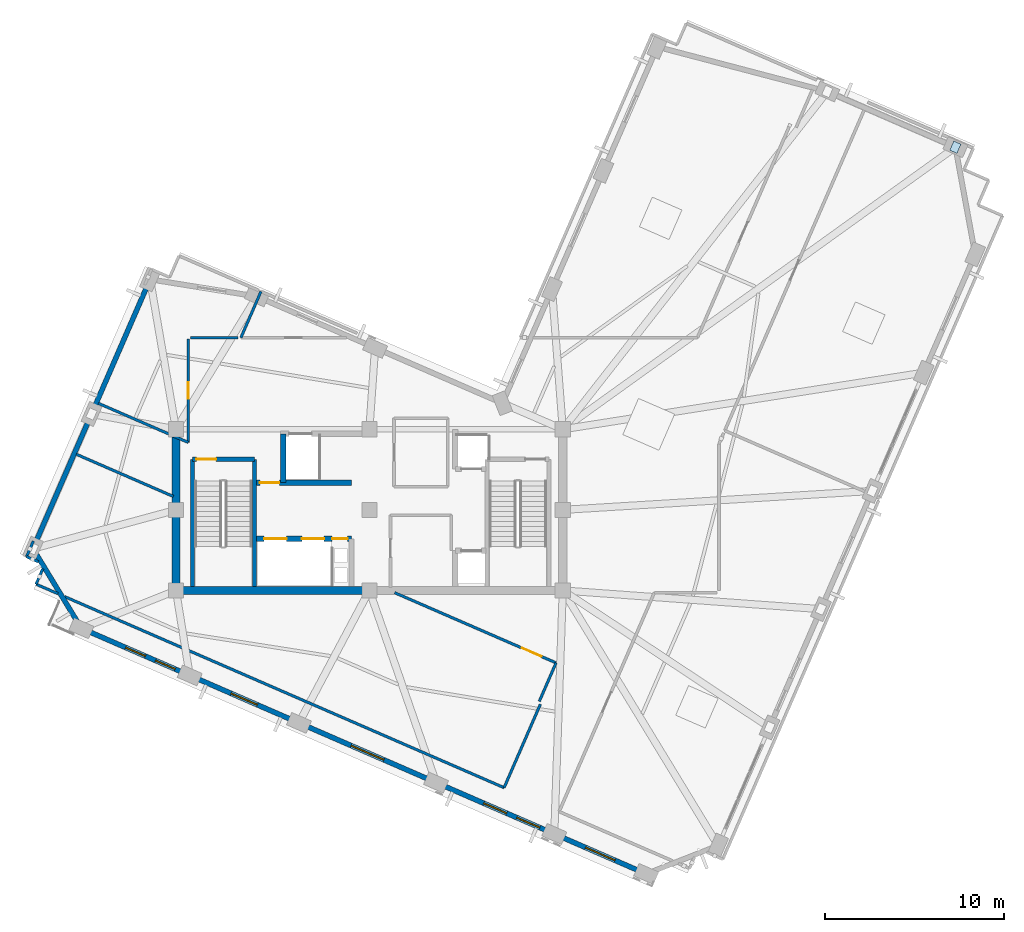
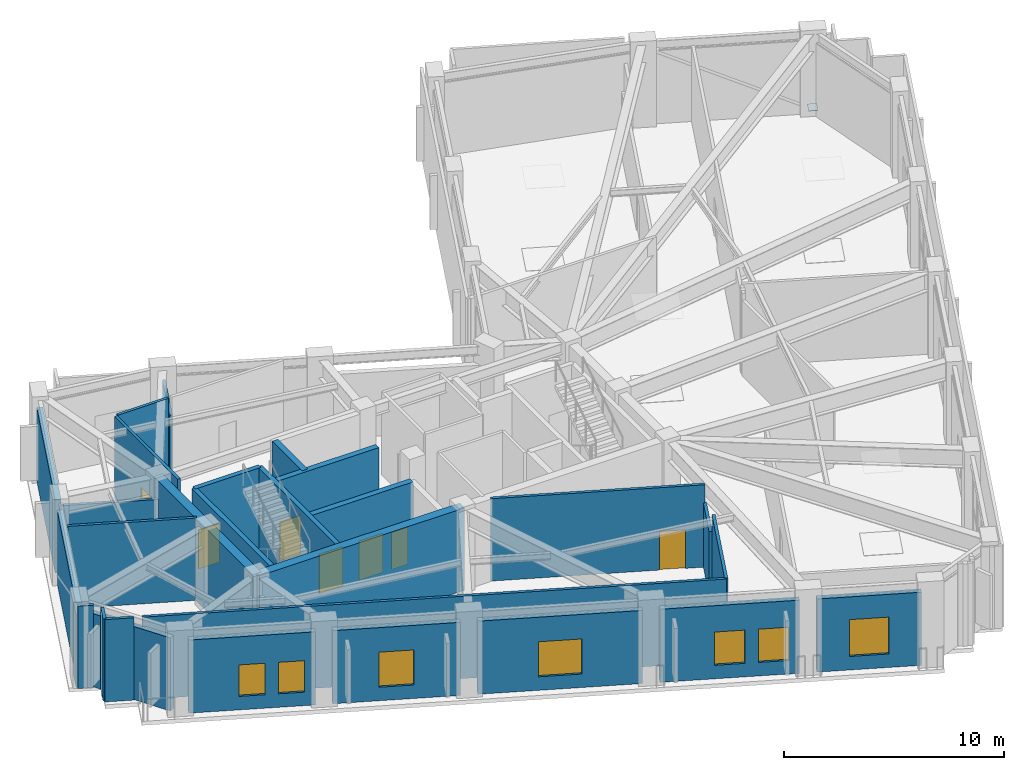
# One storey, part 5 of 11: 29 walls, 7 doors, 7 windows, 1 plate, 14 openings.
"""IFC4 building model written with IfcOpenShell, lengths in metres."""

from ifc_helpers import new_model, si_unit, direction, frame, frame_2d, origin, origin_2d, place, context, subcontext, project, spatial, rectangle, extrude, material, layer, layer_set, type_object, element, fill, save


model = new_model("IFC4")

# Units and contexts
model_context = context("Model", 3, precision=1e-05, world=origin(), true_north=direction((0.0, 1.0)))
body_context = subcontext(model_context, "Body", "Model", "MODEL_VIEW")
ifc_project = project(units=[si_unit("LENGTHUNIT", "METRE"), si_unit("AREAUNIT", "SQUARE_METRE"), si_unit("VOLUMEUNIT", "CUBIC_METRE"), si_unit("PLANEANGLEUNIT", "RADIAN"), si_unit("MASSUNIT", "GRAM", prefix="KILO")], contexts=[model_context])

# Site, building, storey
site_placement = place(None, origin())
site = spatial("IfcSite", under=ifc_project, at=site_placement, CompositionType="ELEMENT")
building_placement = place(site_placement, origin())
building = spatial("IfcBuilding", under=site, at=building_placement, Name="Gaonmaruhae Medical Tower", CompositionType="ELEMENT")
storey_placement = place(building_placement, frame((0.0, 0.0, 328.60009765625)))
storey = spatial("IfcBuildingStorey", under=building, at=storey_placement, Name="L79", CompositionType="ELEMENT", Elevation=328.60009765625)

# Plate
ifc_material_1 = material(Name="Steel HSA650 (650 MPa)", Category="steel")
ifc_layer_1 = layer(ifc_material_1, 0.028076171875)
ifc_layer_set_1 = layer_set([ifc_layer_1], Name="Steel HSA650 (650 MPa)")
plate_type = type_object("IfcPlateType", Name="GP-02 Tube Brace End Cap Gusset Plate", PredefinedType="USERDEFINED", material=ifc_layer_set_1)
plate_placement = place(storey_placement, frame((57.525634765625, 32.552734375, 0.23583984375), z_axis=(0.0, 0.0, 1.0), x_axis=(0.398749068925, 0.917060074385, 0.0)))
element("IfcPlate", 1, at=plate_placement, inside=storey, type_object=plate_type, Name="L79 Gusset Cap Plate PLT-L79-PBR-E01A", ObjectType="GUSSET_PLATE", PredefinedType="USERDEFINED", context=body_context, shape_type="SweptSolid", body=[
    extrude(rectangle(XDim=0.56005859375, YDim=0.43994140625, at=origin_2d()), origin(), (0.0, 0.0, 1.0), 0.028076171875),
])

# Walls
ifc_material_2 = material(Name="Concrete C50/60", Category="concrete")
ifc_layer_2 = layer(ifc_material_2, 0.449951171875)
ifc_layer_set_2 = layer_set([ifc_layer_2], Name="Concrete C50/60")
wall_type_1 = type_object("IfcWallType", Name="CW-450 Upper Core Shear Wall", PredefinedType="SHEAR", material=ifc_layer_set_2)
wall_1_placement = place(storey_placement, frame((14.0, 7.800048828125, 0.0), z_axis=(0.0, 0.0, 1.0), x_axis=(1.0, 0.0, 0.0)))
element("IfcWall", 2, at=wall_1_placement, inside=storey, type_object=wall_type_1, Name="L79 Core Shear Wall CSW-S1", PredefinedType="SHEAR", context=body_context, shape_type="SweptSolid", body=[
    extrude(rectangle(XDim=10.800048828125, YDim=0.449951171875, at=frame_2d((5.39990234375, 0.0))), origin(), (0.0, 0.0, 1.0), 4.579833984375),
])
wall_2_placement = place(storey_placement, frame((14.0, 16.800048828125, 0.0), z_axis=(0.0, 0.0, 1.0), x_axis=(0.0, -1.0, 0.0)))
element("IfcWall", 3, at=wall_2_placement, inside=storey, type_object=wall_type_1, Name="L79 Core Shear Wall CSW-W1", PredefinedType="SHEAR", context=body_context, shape_type="SweptSolid", body=[
    extrude(rectangle(XDim=9.0, YDim=0.449951171875, at=frame_2d((4.5, 0.0))), origin(), (0.0, 0.0, 1.0), 4.579833984375),
])
ifc_material_3 = material(Name="Precast concrete C45/55", Category="concrete")
ifc_layer_3 = layer(ifc_material_3, 0.280029296875)
ifc_layer_set_3 = layer_set([ifc_layer_3], Name="Precast concrete C45/55")
wall_type_2 = type_object("IfcWallType", Name="EW-280 Upper Precast Masonry-Frame Facade Wall", PredefinedType="SOLIDWALL", material=ifc_layer_set_3)
wall_3_placement = place(storey_placement, frame((9.44189453125, 18.01806640625, 0.0), z_axis=(0.0, 0.0, 1.0), x_axis=(0.398768305896, 0.917051709672, 0.0)))
element("IfcWall", 4, at=wall_3_placement, inside=storey, type_object=wall_type_2, Name="L79 Precast Masonry-Frame Wall N01-N02", PredefinedType="SOLIDWALL", context=body_context, shape_type="SweptSolid", body=[
    extrude(rectangle(XDim=7.405029296875, YDim=0.280029296875, at=frame_2d((3.70263671875, 0.0))), origin(), (0.0, 0.0, 1.0), 4.06494140625),
])
wall_4_placement = place(storey_placement, frame((6.17236328125, 10.498046875, 0.0), z_axis=(0.0, 0.0, 1.0), x_axis=(0.398740578379, 0.917063766133, 0.0)))
element("IfcWall", 5, at=wall_4_placement, inside=storey, type_object=wall_type_2, Name="L79 Precast Masonry-Frame Wall N02-N03", PredefinedType="SOLIDWALL", context=body_context, shape_type="SweptSolid", body=[
    extrude(rectangle(XDim=7.40478515625, YDim=0.280029296875, at=frame_2d((3.702392578125, 0.0))), origin(), (0.0, 0.0, 1.0), 4.06494140625),
])
wall_5_placement = place(storey_placement, frame((8.508544921875, 6.02734375, 0.0), z_axis=(0.0, 0.0, 1.0), x_axis=(-0.51924554751, 0.854625099907, 0.0)))
element("IfcWall", 6, at=wall_5_placement, inside=storey, type_object=wall_type_2, Name="L79 Precast Masonry-Frame Wall N03-W01", PredefinedType="SOLIDWALL", context=body_context, shape_type="SweptSolid", body=[
    extrude(rectangle(XDim=4.406982421875, YDim=0.280029296875, at=frame_2d((2.20361328125, 0.0))), origin(), (0.0, 0.0, 1.0), 4.06494140625),
])

# Wall, openings, windows
wall_6_placement = place(storey_placement, frame((14.403076171875, 3.214599609375, 0.0), z_axis=(0.0, 0.0, 1.0), x_axis=(-0.917061363729, 0.398746103624, 0.0)))
wall_6 = element("IfcWall", 7, at=wall_6_placement, inside=storey, type_object=wall_type_2, Name="L79 Precast Masonry-Frame Wall W01-W02", PredefinedType="SOLIDWALL", context=body_context, shape_type="SweptSolid", body=[
    extrude(rectangle(XDim=5.804931640625, YDim=0.280029296875, at=frame_2d((2.90234375, 0.0))), origin(), (0.0, 0.0, 1.0), 4.06494140625),
])
opening_1_placement = place(wall_6_placement, frame((2.302490234375, 0.0, 0.75)))
opening_1 = element("IfcOpeningElement", 8, at=opening_1_placement, cuts=wall_6, Name="Opening WN-05", PredefinedType="OPENING", context=body_context, shape_type="SweptSolid", body=[
    extrude(rectangle(XDim=1.199951171875, YDim=1.75, at=frame_2d((0.60009765625, 0.875))), frame((0.0, 0.14990234375, 0.0), z_axis=(0.0, -1.0, 0.0), x_axis=(1.0, 0.0, 0.0)), (0.0, 0.0, 1.0), 0.300048828125),
])
opening_2_placement = place(wall_6_placement, frame((0.486083984375, 0.0, 0.75)))
opening_2 = element("IfcOpeningElement", 9, at=opening_2_placement, cuts=wall_6, Name="Opening WN-05", PredefinedType="OPENING", context=body_context, shape_type="SweptSolid", body=[
    extrude(rectangle(XDim=1.199951171875, YDim=1.75, at=frame_2d((0.60009765625, 0.875))), frame((0.0, 0.14990234375, 0.0), z_axis=(0.0, -1.0, 0.0), x_axis=(1.0, 0.0, 0.0)), (0.0, 0.0, 1.0), 0.300048828125),
])
ifc_material_4 = material(Name="Anodised aluminium and Low-E double glazing", Category="aluminium")
window_type_1 = type_object("IfcWindowType", Name="WN-05 Support & Staff Punched Window 1200x1750", PartitioningType="SINGLE_PANEL", PredefinedType="WINDOW", material=ifc_material_4)
window_1_placement = place(opening_1_placement, origin())
window_1 = element("IfcWindow", 10, at=window_1_placement, inside=storey, type_object=window_type_1, Name="L79 Modular Facade Window W01", OverallHeight=1.75, OverallWidth=1.199951171875, PartitioningType="SINGLE_PANEL", PredefinedType="WINDOW", context=body_context, shape_type="SweptSolid", body=[
    extrude(rectangle(XDim=1.199951171875, YDim=1.75, at=frame_2d((0.60009765625, 0.875))), frame((0.0, 0.030029296875, 0.0), z_axis=(0.0, -1.0, 0.0), x_axis=(1.0, 0.0, 0.0)), (0.0, 0.0, 1.0), 0.06005859375),
])
fill(opening_1, window_1)
window_2_placement = place(opening_2_placement, origin())
window_2 = element("IfcWindow", 11, at=window_2_placement, inside=storey, type_object=window_type_1, Name="L79 Modular Facade Window W01B", OverallHeight=1.75, OverallWidth=1.199951171875, PartitioningType="SINGLE_PANEL", PredefinedType="WINDOW", context=body_context, shape_type="SweptSolid", body=[
    extrude(rectangle(XDim=1.199951171875, YDim=1.75, at=frame_2d((0.60009765625, 0.875))), frame((0.0, 0.030029296875, 0.0), z_axis=(0.0, -1.0, 0.0), x_axis=(1.0, 0.0, 0.0)), (0.0, 0.0, 1.0), 0.06005859375),
])
fill(opening_2, window_2)

# Wall, opening, window
wall_7_placement = place(storey_placement, frame((20.50146484375, 0.562744140625, 0.0), z_axis=(0.0, 0.0, 1.0), x_axis=(-0.917057460307, 0.39875508084, 0.0)))
wall_7 = element("IfcWall", 12, at=wall_7_placement, inside=storey, type_object=wall_type_2, Name="L79 Precast Masonry-Frame Wall W02-W03", PredefinedType="SOLIDWALL", context=body_context, shape_type="SweptSolid", body=[
    extrude(rectangle(XDim=5.85498046875, YDim=0.280029296875, at=frame_2d((2.927490234375, 0.0))), origin(), (0.0, 0.0, 1.0), 4.06494140625),
])
opening_3_placement = place(wall_7_placement, frame((2.12744140625, 0.0, 0.75)))
opening_3 = element("IfcOpeningElement", 13, at=opening_3_placement, cuts=wall_7, Name="Opening WN-01", PredefinedType="OPENING", context=body_context, shape_type="SweptSolid", body=[
    extrude(rectangle(XDim=1.60009765625, YDim=1.949951171875, at=frame_2d((0.800048828125, 0.97509765625))), frame((0.0, 0.14990234375, 0.0), z_axis=(0.0, -1.0, 0.0), x_axis=(1.0, 0.0, 0.0)), (0.0, 0.0, 1.0), 0.300048828125),
])
window_type_2 = type_object("IfcWindowType", Name="WN-01 Ward Punched Acoustic Window 1600x1950", PartitioningType="SINGLE_PANEL", PredefinedType="WINDOW", material=ifc_material_4)
window_3_placement = place(opening_3_placement, origin())
window_3 = element("IfcWindow", 14, at=window_3_placement, inside=storey, type_object=window_type_2, Name="L79 Modular Facade Window W02", OverallHeight=1.949951171875, OverallWidth=1.60009765625, PartitioningType="SINGLE_PANEL", PredefinedType="WINDOW", context=body_context, shape_type="SweptSolid", body=[
    extrude(rectangle(XDim=1.60009765625, YDim=1.949951171875, at=frame_2d((0.800048828125, 0.97509765625))), frame((0.0, 0.030029296875, 0.0), z_axis=(0.0, -1.0, 0.0), x_axis=(1.0, 0.0, 0.0)), (0.0, 0.0, 1.0), 0.06005859375),
])
fill(opening_3, window_3)

wall_8_placement = place(storey_placement, frame((28.158935546875, -2.766845703125, 0.0), z_axis=(0.0, 0.0, 1.0), x_axis=(-0.917061321999, 0.398746199597, 0.0)))
wall_8 = element("IfcWall", 15, at=wall_8_placement, inside=storey, type_object=wall_type_2, Name="L79 Precast Masonry-Frame Wall W03-W04", PredefinedType="SOLIDWALL", context=body_context, shape_type="SweptSolid", body=[
    extrude(rectangle(XDim=7.5546875, YDim=0.280029296875, at=frame_2d((3.77734375, 0.0))), origin(), (0.0, 0.0, 1.0), 4.06494140625),
])
opening_4_placement = place(wall_8_placement, frame((2.77734375, 0.0, 0.75)))
opening_4 = element("IfcOpeningElement", 16, at=opening_4_placement, cuts=wall_8, Name="Opening WN-02", PredefinedType="OPENING", context=body_context, shape_type="SweptSolid", body=[
    extrude(rectangle(XDim=2.0, YDim=1.949951171875, at=frame_2d((1.0, 0.97509765625))), frame((0.0, 0.14990234375, 0.0), z_axis=(0.0, -1.0, 0.0), x_axis=(1.0, 0.0, 0.0)), (0.0, 0.0, 1.0), 0.300048828125),
])
window_type_3 = type_object("IfcWindowType", Name="WN-02 Double-Bed Ward Punched Window 2000x1950", PartitioningType="SINGLE_PANEL", PredefinedType="WINDOW", material=ifc_material_4)
window_4_placement = place(opening_4_placement, origin())
window_4 = element("IfcWindow", 17, at=window_4_placement, inside=storey, type_object=window_type_3, Name="L79 Modular Facade Window W03", OverallHeight=1.949951171875, OverallWidth=2.0, PartitioningType="SINGLE_PANEL", PredefinedType="WINDOW", context=body_context, shape_type="SweptSolid", body=[
    extrude(rectangle(XDim=2.0, YDim=1.949951171875, at=frame_2d((1.0, 0.97509765625))), frame((0.0, 0.030029296875, 0.0), z_axis=(0.0, -1.0, 0.0), x_axis=(1.0, 0.0, 0.0)), (0.0, 0.0, 1.0), 0.06005859375),
])
fill(opening_4, window_4)

# Wall, openings, windows
wall_9_placement = place(storey_placement, frame((34.76171875, -5.6376953125, 0.0), z_axis=(0.0, 0.0, 1.0), x_axis=(-0.917056117272, 0.398758169539, 0.0)))
wall_9 = element("IfcWall", 18, at=wall_9_placement, inside=storey, type_object=wall_type_2, Name="L79 Precast Masonry-Frame Wall W04-W05", PredefinedType="SOLIDWALL", context=body_context, shape_type="SweptSolid", body=[
    extrude(rectangle(XDim=6.40478515625, YDim=0.280029296875, at=frame_2d((3.202392578125, 0.0))), origin(), (0.0, 0.0, 1.0), 4.06494140625),
])
opening_5_placement = place(wall_9_placement, frame((2.50244140625, 0.0, 0.75)))
opening_5 = element("IfcOpeningElement", 19, at=opening_5_placement, cuts=wall_9, Name="Opening WN-03", PredefinedType="OPENING", context=body_context, shape_type="SweptSolid", body=[
    extrude(rectangle(XDim=1.39990234375, YDim=1.85009765625, at=frame_2d((0.699951171875, 0.925048828125))), frame((0.0, 0.14990234375, 0.0), z_axis=(0.0, -1.0, 0.0), x_axis=(1.0, 0.0, 0.0)), (0.0, 0.0, 1.0), 0.300048828125),
])
opening_6_placement = place(wall_9_placement, frame((0.486328125, 0.0, 0.75)))
opening_6 = element("IfcOpeningElement", 20, at=opening_6_placement, cuts=wall_9, Name="Opening WN-03", PredefinedType="OPENING", context=body_context, shape_type="SweptSolid", body=[
    extrude(rectangle(XDim=1.39990234375, YDim=1.85009765625, at=frame_2d((0.699951171875, 0.925048828125))), frame((0.0, 0.14990234375, 0.0), z_axis=(0.0, -1.0, 0.0), x_axis=(1.0, 0.0, 0.0)), (0.0, 0.0, 1.0), 0.300048828125),
])
window_type_4 = type_object("IfcWindowType", Name="WN-03 Isolation Ward Punched Window 1400x1850", PartitioningType="SINGLE_PANEL", PredefinedType="WINDOW", material=ifc_material_4)
window_5_placement = place(opening_5_placement, origin())
window_5 = element("IfcWindow", 21, at=window_5_placement, inside=storey, type_object=window_type_4, Name="L79 Modular Facade Window W04", OverallHeight=1.85009765625, OverallWidth=1.39990234375, PartitioningType="SINGLE_PANEL", PredefinedType="WINDOW", context=body_context, shape_type="SweptSolid", body=[
    extrude(rectangle(XDim=1.39990234375, YDim=1.85009765625, at=frame_2d((0.699951171875, 0.925048828125))), frame((0.0, 0.030029296875, 0.0), z_axis=(0.0, -1.0, 0.0), x_axis=(1.0, 0.0, 0.0)), (0.0, 0.0, 1.0), 0.06005859375),
])
fill(opening_5, window_5)
window_6_placement = place(opening_6_placement, origin())
window_6 = element("IfcWindow", 22, at=window_6_placement, inside=storey, type_object=window_type_4, Name="L79 Modular Facade Window W04B", OverallHeight=1.85009765625, OverallWidth=1.39990234375, PartitioningType="SINGLE_PANEL", PredefinedType="WINDOW", context=body_context, shape_type="SweptSolid", body=[
    extrude(rectangle(XDim=1.39990234375, YDim=1.85009765625, at=frame_2d((0.699951171875, 0.925048828125))), frame((0.0, 0.030029296875, 0.0), z_axis=(0.0, -1.0, 0.0), x_axis=(1.0, 0.0, 0.0)), (0.0, 0.0, 1.0), 0.06005859375),
])
fill(opening_6, window_6)

# Wall, opening, window
wall_10_placement = place(storey_placement, frame((39.897216796875, -7.870849609375, 0.0), z_axis=(0.0, 0.0, 1.0), x_axis=(-0.917050667534, 0.398770702505, 0.0)))
wall_10 = element("IfcWall", 23, at=wall_10_placement, inside=storey, type_object=wall_type_2, Name="L79 Precast Masonry-Frame Wall W05-W06", PredefinedType="SOLIDWALL", context=body_context, shape_type="SweptSolid", body=[
    extrude(rectangle(XDim=4.8046875, YDim=0.280029296875, at=frame_2d((2.40234375, 0.0))), origin(), (0.0, 0.0, 1.0), 4.06494140625),
])
opening_7_placement = place(wall_10_placement, frame((1.50244140625, 0.0, 0.75)))
opening_7 = element("IfcOpeningElement", 24, at=opening_7_placement, cuts=wall_10, Name="Opening WN-04", PredefinedType="OPENING", context=body_context, shape_type="SweptSolid", body=[
    extrude(rectangle(XDim=1.800048828125, YDim=2.050048828125, at=frame_2d((0.89990234375, 1.02490234375))), frame((0.0, 0.14990234375, 0.0), z_axis=(0.0, -1.0, 0.0), x_axis=(1.0, 0.0, 0.0)), (0.0, 0.0, 1.0), 0.300048828125),
])
window_type_5 = type_object("IfcWindowType", Name="WN-04 Clinic & Consult Punched Window 1800x2050", PartitioningType="SINGLE_PANEL", PredefinedType="WINDOW", material=ifc_material_4)
window_7_placement = place(opening_7_placement, origin())
window_7 = element("IfcWindow", 25, at=window_7_placement, inside=storey, type_object=window_type_5, Name="L79 Modular Facade Window W05", OverallHeight=2.050048828125, OverallWidth=1.800048828125, PartitioningType="SINGLE_PANEL", PredefinedType="WINDOW", context=body_context, shape_type="SweptSolid", body=[
    extrude(rectangle(XDim=1.800048828125, YDim=2.050048828125, at=frame_2d((0.89990234375, 1.02490234375))), frame((0.0, 0.030029296875, 0.0), z_axis=(0.0, -1.0, 0.0), x_axis=(1.0, 0.0, 0.0)), (0.0, 0.0, 1.0), 0.06005859375),
])
fill(opening_7, window_7)

# Walls
ifc_material_5 = material(Name="Gypsum board partition", Category="gypsum")
ifc_layer_4 = layer(ifc_material_5, 0.14990234375)
ifc_layer_set_4 = layer_set([ifc_layer_4], Name="Gypsum board partition")
wall_type_3 = type_object("IfcWallType", Name="PW-150 Rated Clinical Corridor Partition", PredefinedType="PARTITIONING", material=ifc_layer_set_4)
wall_11_placement = place(storey_placement, frame((5.656982421875, 9.68896484375, 0.0), z_axis=(0.0, 0.0, 1.0), x_axis=(0.398763788566, 0.917053673963, 0.0)))
element("IfcWall", 26, at=wall_11_placement, inside=storey, type_object=wall_type_3, Name="L79 Interior Partition L79-LOUN-33", PredefinedType="PARTITIONING", context=body_context, shape_type="SweptSolid", body=[
    extrude(rectangle(XDim=0.94775390625, YDim=0.14990234375, at=frame_2d((0.473876953125, 0.0))), origin(), (0.0, 0.0, 1.0), 4.06494140625),
])
wall_12_placement = place(storey_placement, frame((8.431884765625, 15.406005859375, 0.0), z_axis=(0.0, 0.0, 1.0), x_axis=(0.917075309006, -0.398714029865, 0.0)))
element("IfcWall", 27, at=wall_12_placement, inside=storey, type_object=wall_type_3, Name="L79 Interior Partition L79-LOUN-34", PredefinedType="PARTITIONING", context=body_context, shape_type="SweptSolid", body=[
    extrude(rectangle(XDim=5.911376953125, YDim=0.14990234375, at=frame_2d((2.95556640625, 0.0))), origin(), (0.0, 0.0, 1.0), 4.579833984375),
])

# Wall, opening, door
wall_13_placement = place(storey_placement, frame((26.214111328125, 7.675048828125, 0.0), z_axis=(0.0, 0.0, 1.0), x_axis=(0.91704872202, -0.398775176561, 0.0)))
wall_13 = element("IfcWall", 28, at=wall_13_placement, inside=storey, type_object=wall_type_3, Name="L79 Interior Partition L79-LOUN-35", PredefinedType="PARTITIONING", context=body_context, shape_type="SweptSolid", body=[
    extrude(rectangle(XDim=9.824951171875, YDim=0.14990234375, at=frame_2d((4.91259765625, 0.0))), origin(), (0.0, 0.0, 1.0), 4.579833984375),
])
opening_8_placement = place(wall_13_placement, frame((7.739990234375, 0.0, 0.0)))
opening_8 = element("IfcOpeningElement", 29, at=opening_8_placement, cuts=wall_13, Name="Opening CD-02", PredefinedType="OPENING", context=body_context, shape_type="SweptSolid", body=[
    extrude(rectangle(XDim=1.199951171875, YDim=2.14990234375, at=frame_2d((0.60009765625, 1.074951171875))), frame((0.0, 0.0849609375, 0.0), z_axis=(0.0, -1.0, 0.0), x_axis=(1.0, 0.0, 0.0)), (0.0, 0.0, 1.0), 0.169921875),
])
ifc_material_6 = material(Name="Antimicrobial laminate timber fire door", Category="wood")
door_type_1 = type_object("IfcDoorType", Name="CD-02 Clinical Treatment & Procedure Door 1200x2150", OperationType="NOTDEFINED", PredefinedType="DOOR", material=ifc_material_6)
door_1_placement = place(opening_8_placement, origin())
door_1 = element("IfcDoor", 30, at=door_1_placement, inside=storey, type_object=door_type_1, Name="L79 Wintergarden Rehabilitation Therapy Hall Door", OperationType="SINGLE_SWING_RIGHT", OverallHeight=2.14990234375, OverallWidth=1.199951171875, PredefinedType="DOOR", context=body_context, shape_type="SweptSolid", body=[
    extrude(rectangle(XDim=1.199951171875, YDim=2.14990234375, at=frame_2d((0.60009765625, 1.074951171875))), frame((0.0, 0.02490234375, 0.0), z_axis=(0.0, -1.0, 0.0), x_axis=(1.0, 0.0, 0.0)), (0.0, 0.0, 1.0), 0.050048828125),
])
fill(opening_8, door_1)

# Walls
wall_14_placement = place(storey_placement, frame((35.22412109375, 3.757080078125, 0.0), z_axis=(0.0, 0.0, 1.0), x_axis=(-0.398741307155, -0.91706344926, 0.0)))
element("IfcWall", 31, at=wall_14_placement, inside=storey, type_object=wall_type_3, Name="L79 Interior Partition L79-LOUN-36", PredefinedType="PARTITIONING", context=body_context, shape_type="SweptSolid", body=[
    extrude(rectangle(XDim=2.349853515625, YDim=0.14990234375, at=frame_2d((1.1748046875, 0.0))), origin(), (0.0, 0.0, 1.0), 3.56494140625),
])
wall_15_placement = place(storey_placement, frame((34.34912109375, 1.444091796875, 0.0), z_axis=(0.0, 0.0, 1.0), x_axis=(-0.39886142776, -0.917011211189, 0.0)))
element("IfcWall", 32, at=wall_15_placement, inside=storey, type_object=wall_type_3, Name="L79 Interior Partition L79-LOUN-37", PredefinedType="PARTITIONING", context=body_context, shape_type="SweptSolid", body=[
    extrude(rectangle(XDim=5.079833984375, YDim=0.14990234375, at=frame_2d((2.5400390625, 0.0))), origin(), (0.0, 0.0, 1.0), 4.579833984375),
])
wall_16_placement = place(storey_placement, frame((32.322998046875, -3.214111328125, 0.0), z_axis=(0.0, 0.0, 1.0), x_axis=(-0.917060632086, 0.398747786298, 0.0)))
element("IfcWall", 33, at=wall_16_placement, inside=storey, type_object=wall_type_3, Name="L79 Interior Partition L79-LOUN-38", PredefinedType="PARTITIONING", context=body_context, shape_type="SweptSolid", body=[
    extrude(rectangle(XDim=26.771484375, YDim=0.14990234375, at=frame_2d((13.3857421875, 0.0))), origin(), (0.0, 0.0, 1.0), 4.579833984375),
])
wall_17_placement = place(storey_placement, frame((7.406982421875, 7.6201171875, 0.0), z_axis=(0.0, 0.0, 1.0), x_axis=(-0.917245063995, 0.398323351785, 0.0)))
element("IfcWall", 34, at=wall_17_placement, inside=storey, type_object=wall_type_3, Name="L79 Interior Partition L79-LOUN-39", PredefinedType="PARTITIONING", context=body_context, shape_type="SweptSolid", body=[
    extrude(rectangle(XDim=1.330078125, YDim=0.14990234375, at=frame_2d((0.6650390625, 0.0))), origin(), (0.0, 0.0, 1.0), 4.579833984375),
])
wall_18_placement = place(storey_placement, frame((6.18701171875, 8.14990234375, 0.0), z_axis=(0.0, 0.0, 1.0), x_axis=(0.39965830238, 0.916664192242, 0.0)))
element("IfcWall", 35, at=wall_18_placement, inside=storey, type_object=wall_type_3, Name="L79 Interior Partition L79-LOUN-40", PredefinedType="PARTITIONING", context=body_context, shape_type="SweptSolid", body=[
    extrude(rectangle(XDim=0.938232421875, YDim=0.14990234375, at=frame_2d((0.46923828125, 0.0))), origin(), (0.0, 0.0, 1.0), 4.579833984375),
])
wall_19_placement = place(storey_placement, frame((6.325927734375, 9.39794921875, 0.0), z_axis=(0.0, 0.0, 1.0), x_axis=(-0.916984905679, 0.398921900573, 0.0)))
element("IfcWall", 36, at=wall_19_placement, inside=storey, type_object=wall_type_3, Name="L79 Interior Partition L79-LOUN-41", PredefinedType="PARTITIONING", context=body_context, shape_type="SweptSolid", body=[
    extrude(rectangle(XDim=0.7294921875, YDim=0.14990234375, at=frame_2d((0.36474609375, 0.0))), origin(), (0.0, 0.0, 1.0), 4.579833984375),
])
wall_20_placement = place(storey_placement, frame((17.626953125, 21.919921875, 0.0), z_axis=(0.0, 0.0, 1.0), x_axis=(0.398611739829, 0.91711977455, 0.0)))
element("IfcWall", 37, at=wall_20_placement, inside=storey, type_object=wall_type_3, Name="L79 Interior Partition L79-AWC-44", PredefinedType="PARTITIONING", context=body_context, shape_type="SweptSolid", body=[
    extrude(rectangle(XDim=2.81005859375, YDim=0.14990234375, at=frame_2d((1.405029296875, 0.0))), origin(), (0.0, 0.0, 1.0), 3.56494140625),
])
wall_21_placement = place(storey_placement, frame((17.462890625, 21.919921875, 0.0), z_axis=(0.0, 0.0, 1.0), x_axis=(-1.0, 0.0, 0.0)))
element("IfcWall", 38, at=wall_21_placement, inside=storey, type_object=wall_type_3, Name="L79 Interior Partition L79-HSK-46", PredefinedType="PARTITIONING", context=body_context, shape_type="SweptSolid", body=[
    extrude(rectangle(XDim=2.662841796875, YDim=0.14990234375, at=frame_2d((1.33154296875, 0.0))), origin(), (0.0, 0.0, 1.0), 4.579833984375),
])

# Wall, opening, door
wall_22_placement = place(storey_placement, frame((14.68896484375, 21.845947265625, 0.0), z_axis=(0.0, 0.0, 1.0), x_axis=(-0.001563951084, -0.999998777028, 0.0)))
wall_22 = element("IfcWall", 39, at=wall_22_placement, inside=storey, type_object=wall_type_3, Name="L79 Interior Partition L79-HSK-47", PredefinedType="PARTITIONING", context=body_context, shape_type="SweptSolid", body=[
    extrude(rectangle(XDim=5.77587890625, YDim=0.14990234375, at=frame_2d((2.887939453125, 0.0))), origin(), (0.0, 0.0, 1.0), 4.579833984375),
])
opening_9_placement = place(wall_22_placement, frame((2.427978515625, 0.0, 0.0)))
opening_9 = element("IfcOpeningElement", 40, at=opening_9_placement, cuts=wall_22, Name="Opening UD-01", PredefinedType="OPENING", context=body_context, shape_type="SweptSolid", body=[
    extrude(rectangle(XDim=0.919921875, YDim=2.10009765625, at=frame_2d((0.4599609375, 1.050048828125))), frame((0.0, 0.0849609375, 0.0), z_axis=(0.0, -1.0, 0.0), x_axis=(1.0, 0.0, 0.0)), (0.0, 0.0, 1.0), 0.169921875),
])
ifc_material_7 = material(Name="Powder-coated steel utility door", Category="steel")
door_type_2 = type_object("IfcDoorType", Name="UD-01 Toilet, Utility & Housekeeping Door 920x2100", OperationType="NOTDEFINED", PredefinedType="DOOR", material=ifc_material_7)
door_2_placement = place(opening_9_placement, origin())
door_2 = element("IfcDoor", 41, at=door_2_placement, inside=storey, type_object=door_type_2, Name="L79 Sky Garden Housekeeping Utility Room Door", OperationType="SINGLE_SWING_LEFT", OverallHeight=2.10009765625, OverallWidth=0.919921875, PredefinedType="DOOR", context=body_context, shape_type="SweptSolid", body=[
    extrude(rectangle(XDim=0.919921875, YDim=2.10009765625, at=frame_2d((0.4599609375, 1.050048828125))), frame((0.0, 0.02490234375, 0.0), z_axis=(0.0, -1.0, 0.0), x_axis=(1.0, 0.0, 0.0)), (0.0, 0.0, 1.0), 0.050048828125),
])
fill(opening_9, door_2)

# Wall
wall_23_placement = place(storey_placement, frame((14.679931640625, 16.070068359375, 0.0), z_axis=(0.0, 0.0, 1.0), x_axis=(-0.917080709133, 0.398701608895, 0.0)))
element("IfcWall", 42, at=wall_23_placement, inside=storey, type_object=wall_type_3, Name="L79 Interior Partition L79-HSK-48", PredefinedType="PARTITIONING", context=body_context, shape_type="SweptSolid", body=[
    extrude(rectangle(XDim=5.465087890625, YDim=0.14990234375, at=frame_2d((2.732421875, 0.0))), origin(), (0.0, 0.0, 1.0), 3.56494140625),
])

# Wall, opening, door
ifc_layer_5 = layer(ifc_material_2, 0.239990234375)
ifc_layer_set_5 = layer_set([ifc_layer_5], Name="Concrete C50/60")
wall_type_4 = type_object("IfcWallType", Name="SW-240 Dogleg Stair Tight Shaft Wall", PredefinedType="SOLIDWALL", material=ifc_layer_set_5)
wall_24_placement = place(storey_placement, frame((14.919921875, 15.1201171875, 0.0), z_axis=(0.0, 0.0, 1.0), x_axis=(1.0, 0.0, 0.0)))
wall_24 = element("IfcWall", 43, at=wall_24_placement, inside=storey, type_object=wall_type_4, Name="L79 ST-01 Stair Shaft Wall SHW-ST-01-N", PredefinedType="SOLIDWALL", context=body_context, shape_type="SweptSolid", body=[
    extrude(rectangle(XDim=3.4599609375, YDim=0.239990234375, at=frame_2d((1.72998046875, 0.0))), origin(), (0.0, 0.0, 1.0), 4.579833984375),
])
opening_10_placement = place(wall_24_placement, frame((0.219970703125, 0.0, 0.0)))
opening_10 = element("IfcOpeningElement", 44, at=opening_10_placement, cuts=wall_24, Name="Opening FD-01", PredefinedType="OPENING", context=body_context, shape_type="SweptSolid", body=[
    extrude(rectangle(XDim=1.10009765625, YDim=2.14990234375, at=frame_2d((0.550048828125, 1.074951171875))), frame((0.0, 0.1298828125, 0.0), z_axis=(0.0, -1.0, 0.0), x_axis=(1.0, 0.0, 0.0)), (0.0, 0.0, 1.0), 0.260009765625),
])
ifc_material_8 = material(Name="Powder-coated steel fire door", Category="steel")
door_type_3 = type_object("IfcDoorType", Name="FD-01 Escape Stair Protected Fire Door 1100x2150", OperationType="NOTDEFINED", PredefinedType="DOOR", material=ifc_material_8)
door_3_placement = place(opening_10_placement, origin())
door_3 = element("IfcDoor", 45, at=door_3_placement, inside=storey, type_object=door_type_3, Name="L79 ST-01 Protected Escape Stair Door", OperationType="SINGLE_SWING_RIGHT", OverallHeight=2.14990234375, OverallWidth=1.10009765625, PredefinedType="DOOR", context=body_context, shape_type="SweptSolid", body=[
    extrude(rectangle(XDim=1.10009765625, YDim=2.14990234375, at=frame_2d((0.550048828125, 1.074951171875))), frame((0.0, 0.02490234375, 0.0), z_axis=(0.0, -1.0, 0.0), x_axis=(1.0, 0.0, 0.0)), (0.0, 0.0, 1.0), 0.050048828125),
])
fill(opening_10, door_3)

# Walls
for number, where, z_axis, x_axis, name in (
    (46, (18.3798828125, 15.1201171875, 0.0), (0.0, 0.0, 1.0), (0.0, -1.0, 0.0), "L79 ST-01 Stair Shaft Wall SHW-ST-01-E"),
    (47, (14.919921875, 8.02490234375, 0.0), (0.0, 0.0, 1.0), (0.0, 1.0, 0.0), "L79 ST-01 Stair Shaft Wall SHW-ST-01-W"),
):
    element("IfcWall", number, at=place(storey_placement, frame(where, z_axis=z_axis, x_axis=x_axis)), inside=storey, type_object=wall_type_4, Name=name, PredefinedType="SOLIDWALL", context=body_context, shape_type="SweptSolid", body=[
        extrude(rectangle(XDim=7.09521484375, YDim=0.239990234375, at=frame_2d((3.547607421875, 0.0))), origin(), (0.0, 0.0, 1.0), 4.579833984375),
    ])

# Wall, openings, doors
ifc_layer_6 = layer(ifc_material_2, 0.300048828125)
ifc_layer_set_6 = layer_set([ifc_layer_6], Name="Concrete C50/60")
wall_type_5 = type_object("IfcWallType", Name="SW-300 Stair & Lift Hoistway Shaft Wall", PredefinedType="SOLIDWALL", material=ifc_layer_set_6)
wall_25_placement = place(storey_placement, frame((18.5, 10.679931640625, 0.0), z_axis=(0.0, 0.0, 1.0), x_axis=(1.0, 0.0, 0.0)))
wall_25 = element("IfcWall", 48, at=wall_25_placement, inside=storey, type_object=wall_type_5, Name="L79 Shaft Enclosure Wall SHW-FFN", PredefinedType="SOLIDWALL", context=body_context, shape_type="SweptSolid", body=[
    extrude(rectangle(XDim=5.300048828125, YDim=0.300048828125, at=frame_2d((2.64990234375, 0.0))), origin(), (0.0, 0.0, 1.0), 4.579833984375),
])
opening_11_placement = place(wall_25_placement, frame((4.219970703125, 0.0, 0.0)))
opening_11 = element("IfcOpeningElement", 49, at=opening_11_placement, cuts=wall_25, Name="Opening AD-01", PredefinedType="OPENING", context=body_context, shape_type="SweptSolid", body=[
    extrude(rectangle(XDim=0.860107421875, YDim=2.06005859375, at=frame_2d((0.43017578125, 1.030029296875))), frame((0.0, 0.16015625, 0.0), z_axis=(0.0, -1.0, 0.0), x_axis=(1.0, 0.0, 0.0)), (0.0, 0.0, 1.0), 0.320068359375),
])
opening_12_placement = place(wall_25_placement, frame((0.425048828125, 0.0, 0.0)))
opening_12 = element("IfcOpeningElement", 50, at=opening_12_placement, cuts=wall_25, Name="Opening LD-F1", PredefinedType="OPENING", context=body_context, shape_type="SweptSolid", body=[
    extrude(rectangle(XDim=1.25, YDim=2.179931640625, at=frame_2d((0.625, 1.08984375))), frame((0.0, 0.16015625, 0.0), z_axis=(0.0, -1.0, 0.0), x_axis=(1.0, 0.0, 0.0)), (0.0, 0.0, 1.0), 0.320068359375),
])
opening_13_placement = place(wall_25_placement, frame((2.52490234375, 0.0, 0.0)))
opening_13 = element("IfcOpeningElement", 51, at=opening_13_placement, cuts=wall_25, Name="Opening LD-F1", PredefinedType="OPENING", context=body_context, shape_type="SweptSolid", body=[
    extrude(rectangle(XDim=1.25, YDim=2.179931640625, at=frame_2d((0.625, 1.08984375))), frame((0.0, 0.16015625, 0.0), z_axis=(0.0, -1.0, 0.0), x_axis=(1.0, 0.0, 0.0)), (0.0, 0.0, 1.0), 0.320068359375),
])
ifc_material_9 = material(Name="Powder-coated steel access door", Category="steel")
door_type_4 = type_object("IfcDoorType", Name="AD-01 Riser & Closet Access Fire Door 860x2060", OperationType="NOTDEFINED", PredefinedType="DOOR", material=ifc_material_9)
door_4_placement = place(opening_11_placement, origin())
door_4 = element("IfcDoor", 52, at=door_4_placement, inside=storey, type_object=door_type_4, Name="L79 Medical Gas and MEP Riser Access Door", OperationType="SINGLE_SWING_RIGHT", OverallHeight=2.06005859375, OverallWidth=0.860107421875, PredefinedType="DOOR", context=body_context, shape_type="SweptSolid", body=[
    extrude(rectangle(XDim=0.860107421875, YDim=2.06005859375, at=frame_2d((0.43017578125, 1.030029296875))), frame((0.0, 0.02490234375, 0.0), z_axis=(0.0, -1.0, 0.0), x_axis=(1.0, 0.0, 0.0)), (0.0, 0.0, 1.0), 0.050048828125),
])
fill(opening_11, door_4)
ifc_material_10 = material(Name="Brushed stainless steel 316L landing door", Category="steel")
door_type_5 = type_object("IfcDoorType", Name="LD-F1 Firefighting & Bed Lift Sliding Landing Door 1250x2180", OperationType="NOTDEFINED", PredefinedType="DOOR", material=ifc_material_10)
door_5_placement = place(opening_12_placement, origin())
door_5 = element("IfcDoor", 53, at=door_5_placement, inside=storey, type_object=door_type_5, Name="L79 Firefighting Lift Landing Door FFL-01", OperationType="DOUBLE_DOOR_SLIDING", OverallHeight=2.179931640625, OverallWidth=1.25, PredefinedType="DOOR", context=body_context, shape_type="SweptSolid", body=[
    extrude(rectangle(XDim=1.25, YDim=2.179931640625, at=frame_2d((0.625, 1.08984375))), frame((0.0, 0.02490234375, 0.0), z_axis=(0.0, -1.0, 0.0), x_axis=(1.0, 0.0, 0.0)), (0.0, 0.0, 1.0), 0.050048828125),
])
fill(opening_12, door_5)
door_6_placement = place(opening_13_placement, origin())
door_6 = element("IfcDoor", 54, at=door_6_placement, inside=storey, type_object=door_type_5, Name="L79 Firefighting Lift Landing Door FFL-02", OperationType="DOUBLE_DOOR_SLIDING", OverallHeight=2.179931640625, OverallWidth=1.25, PredefinedType="DOOR", context=body_context, shape_type="SweptSolid", body=[
    extrude(rectangle(XDim=1.25, YDim=2.179931640625, at=frame_2d((0.625, 1.08984375))), frame((0.0, 0.02490234375, 0.0), z_axis=(0.0, -1.0, 0.0), x_axis=(1.0, 0.0, 0.0)), (0.0, 0.0, 1.0), 0.050048828125),
])
fill(opening_13, door_6)

# Wall, opening, door
wall_26_placement = place(storey_placement, frame((18.5, 13.820068359375, 0.0), z_axis=(0.0, 0.0, 1.0), x_axis=(1.0, 0.0, 0.0)))
wall_26 = element("IfcWall", 55, at=wall_26_placement, inside=storey, type_object=wall_type_5, Name="L79 Shaft Enclosure Wall SHW-FFL", PredefinedType="SOLIDWALL", context=body_context, shape_type="SweptSolid", body=[
    extrude(rectangle(XDim=5.300048828125, YDim=0.300048828125, at=frame_2d((2.64990234375, 0.0))), origin(), (0.0, 0.0, 1.0), 4.579833984375),
])
opening_14_placement = place(wall_26_placement, frame((0.179931640625, 0.0, 0.0)))
opening_14 = element("IfcOpeningElement", 56, at=opening_14_placement, cuts=wall_26, Name="Opening FD-01", PredefinedType="OPENING", context=body_context, shape_type="SweptSolid", body=[
    extrude(rectangle(XDim=1.10009765625, YDim=2.14990234375, at=frame_2d((0.550048828125, 1.074951171875))), frame((0.0, 0.16015625, 0.0), z_axis=(0.0, -1.0, 0.0), x_axis=(1.0, 0.0, 0.0)), (0.0, 0.0, 1.0), 0.320068359375),
])
door_7_placement = place(opening_14_placement, origin())
door_7 = element("IfcDoor", 57, at=door_7_placement, inside=storey, type_object=door_type_3, Name="L79 Firefighting Lobby Smoke Door", OperationType="SINGLE_SWING_LEFT", OverallHeight=2.14990234375, OverallWidth=1.10009765625, PredefinedType="DOOR", context=body_context, shape_type="SweptSolid", body=[
    extrude(rectangle(XDim=1.10009765625, YDim=2.14990234375, at=frame_2d((0.550048828125, 1.074951171875))), frame((0.0, 0.02490234375, 0.0), z_axis=(0.0, -1.0, 0.0), x_axis=(1.0, 0.0, 0.0)), (0.0, 0.0, 1.0), 0.050048828125),
])
fill(opening_14, door_7)

# Wall
wall_27_placement = place(storey_placement, frame((20.0, 13.820068359375, 0.0), z_axis=(0.0, 0.0, 1.0), x_axis=(0.0, 1.0, 0.0)))
element("IfcWall", 58, at=wall_27_placement, inside=storey, type_object=wall_type_5, Name="L79 Shaft Enclosure Wall SHW-BDW", PredefinedType="SOLIDWALL", context=body_context, shape_type="SweptSolid", body=[
    extrude(rectangle(XDim=2.72998046875, YDim=0.300048828125, at=frame_2d((1.364990234375, 0.0))), origin(), (0.0, 0.0, 1.0), 4.579833984375),
])

save(model, "model.ifc")
